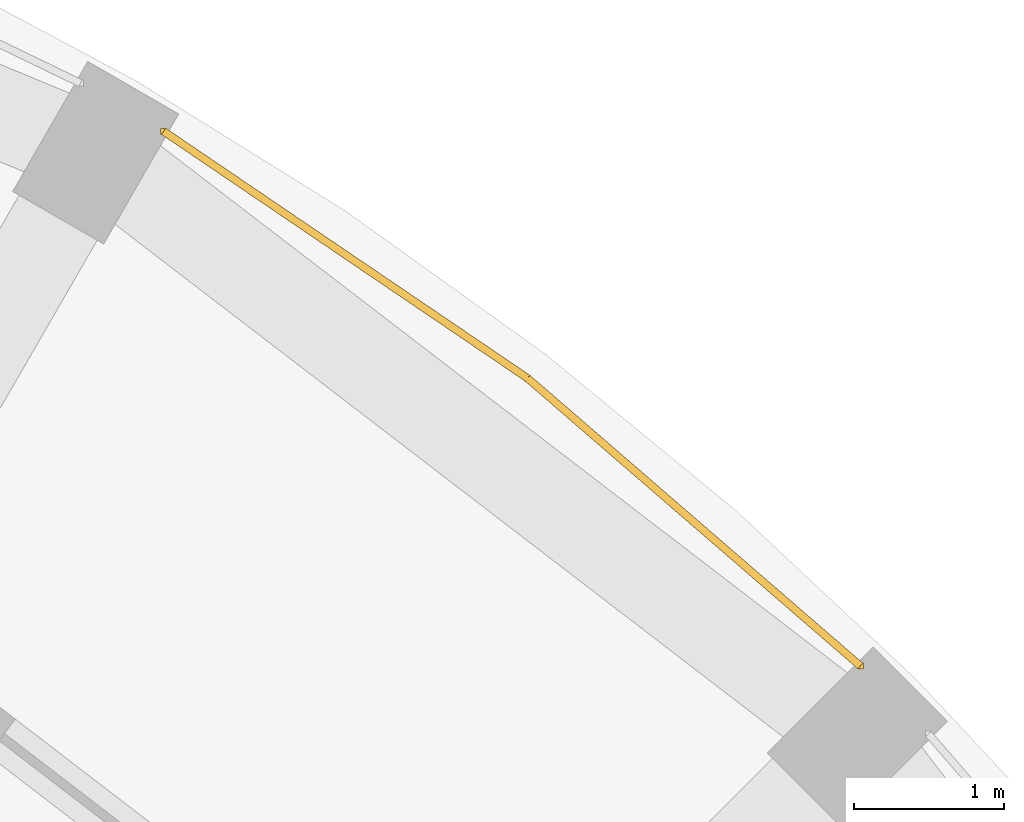
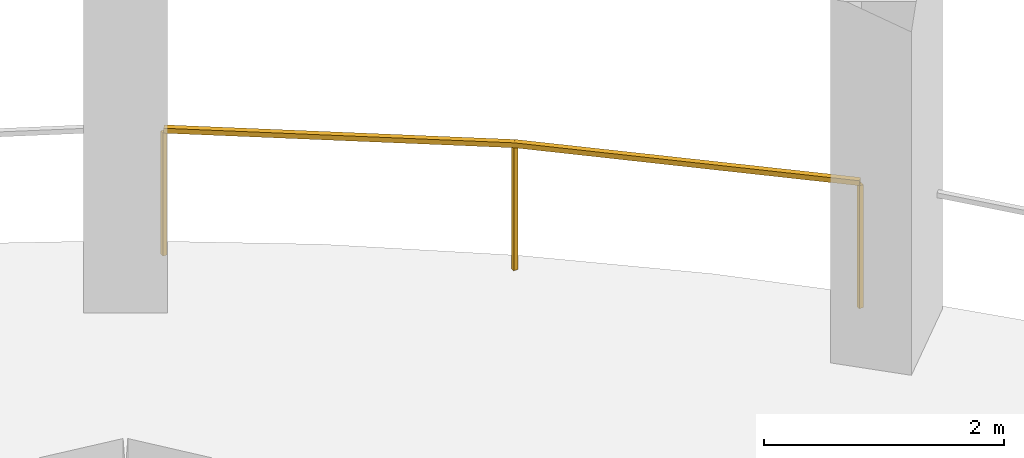
# One storey, part 8 of 8: 1 railing.
"""IFC4 building model written with IfcOpenShell, lengths in metres."""

from ifc_helpers import new_model, si_unit, direction, frame, origin, origin_2d, place, context, subcontext, project, spatial, rectangle, extrude, material, type_object, element, save


model = new_model("IFC4")

# Units and contexts
model_context = context("Model", 3, precision=1e-05, world=origin(), true_north=direction((0.0, 1.0)))
body_context = subcontext(model_context, "Body", "Model", "MODEL_VIEW")
ifc_project = project(units=[si_unit("LENGTHUNIT", "METRE"), si_unit("AREAUNIT", "SQUARE_METRE"), si_unit("VOLUMEUNIT", "CUBIC_METRE"), si_unit("PLANEANGLEUNIT", "RADIAN"), si_unit("MASSUNIT", "GRAM", prefix="KILO")], contexts=[model_context])

# Site, building, storey
site_placement = place(None, origin())
site = spatial("IfcSite", under=ifc_project, at=site_placement, CompositionType="ELEMENT")
building_placement = place(site_placement, origin())
building = spatial("IfcBuilding", under=site, at=building_placement, Name="Torre Triforio", CompositionType="ELEMENT")
storey_placement = place(building_placement, frame((0.0, 0.0, 257.5)))
storey = spatial("IfcBuildingStorey", under=building, at=storey_placement, Name="L59", CompositionType="ELEMENT", Elevation=257.5)

# Railing
ifc_material = material(Name="Stainless steel AISI 316", Category="steel")
railing_type = type_object("IfcRailingType", Name="Loggia guard 1300", PredefinedType="GUARDRAIL", material=ifc_material)
railing_placement = place(storey_placement, frame((17.34521484375, 17.7978515625, 0.0)))
element("IfcRailing", 1, at=railing_placement, inside=storey, type_object=railing_type, Name="Loggia guard L59 bay 04", PredefinedType="GUARDRAIL", context=body_context, shape_type="SweptSolid", body=[
    extrude(rectangle(XDim=0.050048828125, YDim=0.050048828125, at=origin_2d()), frame((0.0, 0.0, 1.27490234375), z_axis=(-0.756510170049, 0.653981928353, 0.0), x_axis=(-0.653981928353, -0.756510170049, 0.0)), (0.0, 0.0, 1.0), 2.93115234375),
    extrude(rectangle(XDim=0.050048828125, YDim=0.050048828125, at=origin_2d()), frame((-2.217529296875, 1.9169921875, 1.27490234375), z_axis=(-0.827499269821, 0.561466791934, 0.0), x_axis=(-0.561466791934, -0.827499269821, 0.0)), (0.0, 0.0, 1.0), 2.93115234375),
    extrude(rectangle(XDim=0.0400390625, YDim=0.0400390625, at=origin_2d()), origin(), (0.0, 0.0, 1.0), 1.25),
    extrude(rectangle(XDim=0.0400390625, YDim=0.0400390625, at=origin_2d()), frame((-2.217529296875, 1.9169921875, 0.0)), (0.0, 0.0, 1.0), 1.25),
    extrude(rectangle(XDim=0.0400390625, YDim=0.0400390625, at=origin_2d()), frame((-4.64306640625, 3.562744140625, 0.0)), (0.0, 0.0, 1.0), 1.25),
])

save(model, "model.ifc")
